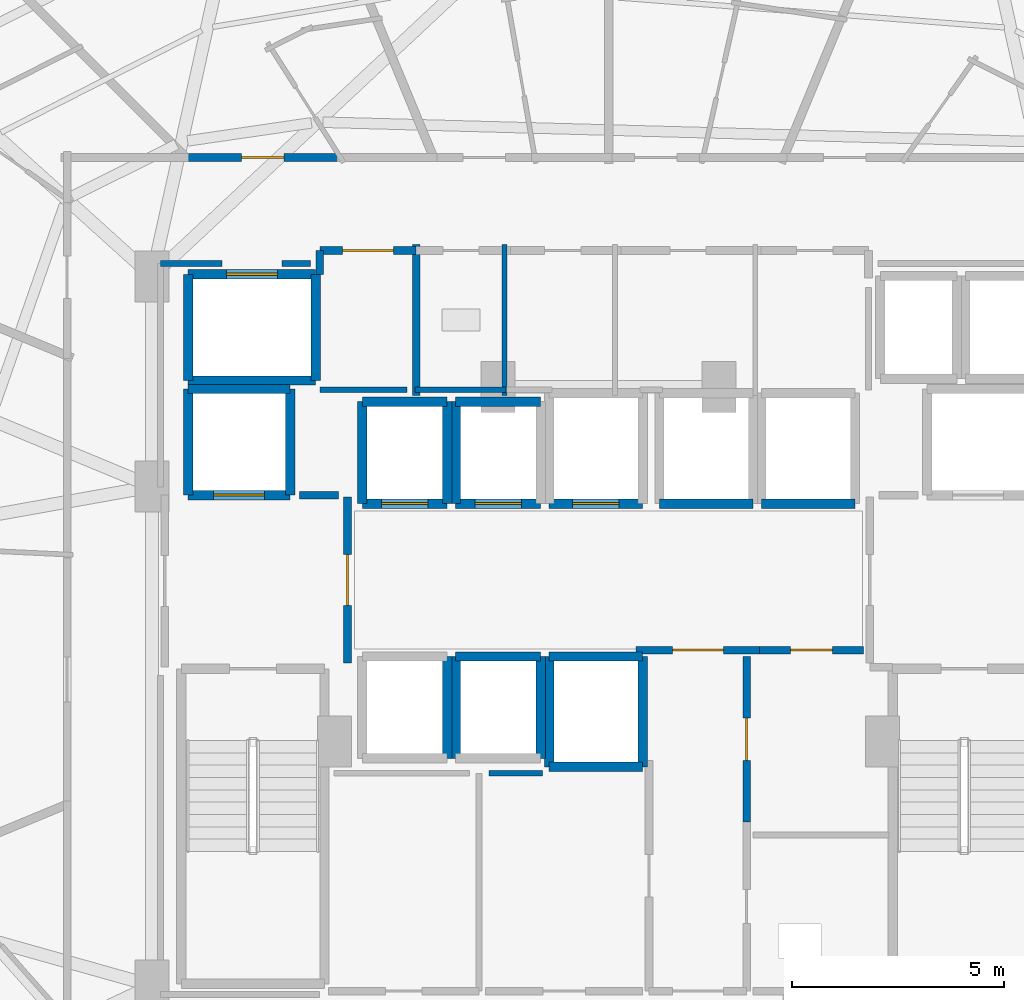
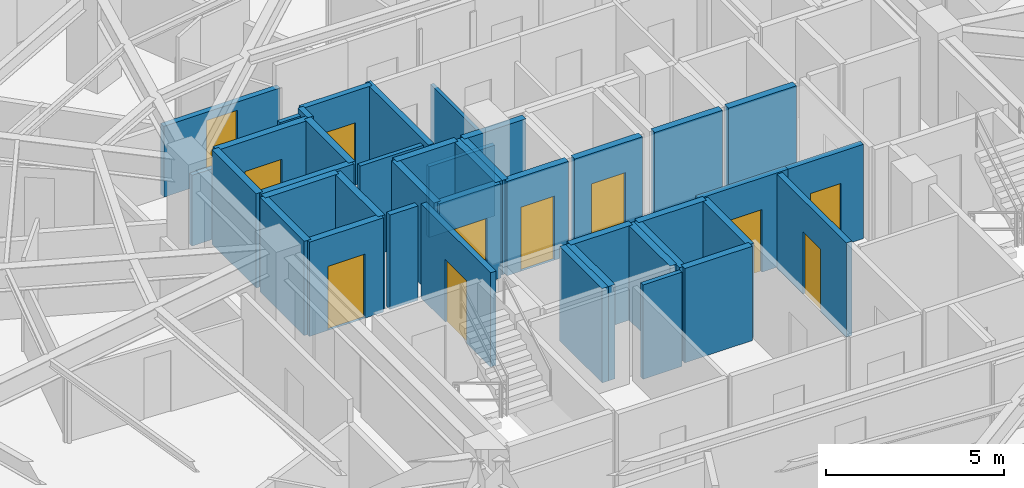
# One storey, part 25 of 31: 41 walls, 11 doors, 11 openings.
"""IFC4 building model written with IfcOpenShell, lengths in metres."""

from ifc_helpers import new_model, si_unit, direction, frame, frame_2d, origin, place, context, subcontext, project, spatial, rectangle, extrude, material, layer, layer_set, type_object, element, fill, save


model = new_model("IFC4")

# Units and contexts
model_context = context("Model", 3, precision=1e-05, world=origin(), true_north=direction((0.0, 1.0)))
body_context = subcontext(model_context, "Body", "Model", "MODEL_VIEW")
ifc_project = project(units=[si_unit("LENGTHUNIT", "METRE"), si_unit("AREAUNIT", "SQUARE_METRE"), si_unit("VOLUMEUNIT", "CUBIC_METRE"), si_unit("PLANEANGLEUNIT", "RADIAN"), si_unit("MASSUNIT", "GRAM", prefix="KILO")], contexts=[model_context])

# Site, building, storey
site_placement = place(None, origin())
site = spatial("IfcSite", under=ifc_project, at=site_placement, CompositionType="ELEMENT")
building_placement = place(site_placement, origin())
building = spatial("IfcBuilding", under=site, at=building_placement, Name="Vorneva Point Tower", CompositionType="ELEMENT")
storey_placement = place(building_placement, frame((0.0, 0.0, 99.800048828125)))
storey = spatial("IfcBuildingStorey", under=building, at=storey_placement, Name="L26", CompositionType="ELEMENT", Elevation=99.800048828125)

# Wall, opening, door
ifc_material_1 = material(Name="Concrete B60 (C50/60)", Category="concrete")
ifc_layer_1 = layer(ifc_material_1, 0.5)
ifc_layer_set_1 = layer_set([ifc_layer_1], Name="Concrete B60 (C50/60)")
wall_type_1 = type_object("IfcWallType", Name="WL-CORE-500", PredefinedType="SHEAR", material=ifc_layer_set_1)
wall_1_placement = place(storey_placement, frame((28.10009765625, 28.0, 0.0), z_axis=(0.0, 0.0, 1.0), x_axis=(1.0, 0.0, 0.0)))
wall_1 = element("IfcWall", 1, at=wall_1_placement, inside=storey, type_object=wall_type_1, Name="L26 Lift FFL1 Shaft Wall -Y", PredefinedType="SHEAR", context=body_context, shape_type="SweptSolid", body=[
    extrude(rectangle(XDim=2.39990234375, YDim=0.219970703125, at=frame_2d((1.199951171875, 0.0))), origin(), (0.0, 0.0, 1.0), 3.239990234375),
])
opening_1_placement = place(wall_1_placement, frame((0.60009765625, 0.0, 0.0)))
opening_1 = element("IfcOpeningElement", 2, at=opening_1_placement, cuts=wall_1, Name="Opening LD-02", PredefinedType="OPENING", context=body_context, shape_type="SweptSolid", body=[
    extrude(rectangle(XDim=1.199951171875, YDim=2.199951171875, at=frame_2d((0.60009765625, 1.10009765625))), frame((0.0, 0.125, 0.0), z_axis=(0.0, -1.0, 0.0), x_axis=(1.0, 0.0, 0.0)), (0.0, 0.0, 1.0), 0.249755859375),
])
ifc_material_2 = material(Name="Brushed stainless steel S304", Category="steel")
door_type_1 = type_object("IfcDoorType", Name="LD-FIRE-1200", OperationType="SLIDING_TO_LEFT", PredefinedType="DOOR", material=ifc_material_2)
door_1_placement = place(opening_1_placement, origin())
door_1 = element("IfcDoor", 3, at=door_1_placement, inside=storey, type_object=door_type_1, Name="L26 Lift FFL1 Sliding Landing Door", OperationType="SLIDING_TO_LEFT", OverallHeight=2.199951171875, OverallWidth=1.199951171875, PredefinedType="DOOR", context=body_context, shape_type="SweptSolid", body=[
    extrude(rectangle(XDim=1.199951171875, YDim=2.199951171875, at=frame_2d((0.60009765625, 1.10009765625))), frame((0.0, 0.02490234375, 0.0), z_axis=(0.0, -1.0, 0.0), x_axis=(1.0, 0.0, 0.0)), (0.0, 0.0, 1.0), 0.050048828125),
])
fill(opening_1, door_1)

# Walls
wall_2_placement = place(storey_placement, frame((30.5, 28.0, 0.0), z_axis=(0.0, 0.0, 1.0), x_axis=(0.0, 1.0, 0.0)))
element("IfcWall", 4, at=wall_2_placement, inside=storey, type_object=wall_type_1, Name="L26 Lift FFL1 Shaft Wall +X", PredefinedType="SHEAR", context=body_context, shape_type="SweptSolid", body=[
    extrude(rectangle(XDim=2.5, YDim=0.219970703125, at=frame_2d((1.25, 0.0))), origin(), (0.0, 0.0, 1.0), 3.239990234375),
])
wall_3_placement = place(storey_placement, frame((30.5, 30.5, 0.0), z_axis=(0.0, 0.0, 1.0), x_axis=(-1.0, 0.0, 0.0)))
element("IfcWall", 5, at=wall_3_placement, inside=storey, type_object=wall_type_1, Name="L26 Lift FFL1 Shaft Wall +Y", PredefinedType="SHEAR", context=body_context, shape_type="SweptSolid", body=[
    extrude(rectangle(XDim=2.39990234375, YDim=0.219970703125, at=frame_2d((1.199951171875, 0.0))), origin(), (0.0, 0.0, 1.0), 3.239990234375),
])
wall_4_placement = place(storey_placement, frame((28.10009765625, 30.5, 0.0), z_axis=(0.0, 0.0, 1.0), x_axis=(0.0, -1.0, 0.0)))
element("IfcWall", 6, at=wall_4_placement, inside=storey, type_object=wall_type_1, Name="L26 Lift FFL1 Shaft Wall -X", PredefinedType="SHEAR", context=body_context, shape_type="SweptSolid", body=[
    extrude(rectangle(XDim=2.5, YDim=0.219970703125, at=frame_2d((1.25, 0.0))), origin(), (0.0, 0.0, 1.0), 3.239990234375),
])
ifc_material_3 = material(Name="Fire-rated acoustic gypsum stud partition", Category="gypsum")
ifc_layer_2 = layer(ifc_material_3, 0.110107421875)
ifc_layer_set_2 = layer_set([ifc_layer_2], Name="Fire-rated acoustic gypsum stud partition")
wall_type_2 = type_object("IfcWallType", Name="WL-PART-110", PredefinedType="PARTITIONING", material=ifc_layer_set_2)
wall_5_placement = place(storey_placement, frame((35.550048828125, 30.340087890625, 0.0), z_axis=(0.0, 0.0, 1.0), x_axis=(0.0, 1.0, 0.0)))
element("IfcWall", 7, at=wall_5_placement, inside=storey, type_object=wall_type_2, Name="L26 Interior Partition 017", PredefinedType="PARTITIONING", context=body_context, shape_type="SweptSolid", body=[
    extrude(rectangle(XDim=3.559814453125, YDim=0.110107421875, at=frame_2d((1.77978515625, 0.0))), origin(), (0.0, 0.0, 1.0), 2.431884765625),
])
ifc_layer_3 = layer(ifc_material_3, 0.139892578125)
ifc_layer_set_3 = layer_set([ifc_layer_3], Name="Fire-rated acoustic gypsum stud partition")
wall_type_3 = type_object("IfcWallType", Name="WL-PART-140", PredefinedType="PARTITIONING", material=ifc_layer_set_3)
wall_6_placement = place(storey_placement, frame((31.199951171875, 30.47998046875, 0.0), z_axis=(0.0, 0.0, 1.0), x_axis=(1.0, 0.0, 0.0)))
element("IfcWall", 8, at=wall_6_placement, inside=storey, type_object=wall_type_3, Name="L26 Interior Closure Partition 097", PredefinedType="PARTITIONING", context=body_context, shape_type="SweptSolid", body=[
    extrude(rectangle(XDim=2.050048828125, YDim=0.139892578125, at=frame_2d((1.02490234375, 0.0))), origin(), (0.0, 0.0, 1.0), 3.239990234375),
])
wall_7_placement = place(storey_placement, frame((33.43994140625, 30.47998046875, 0.0), z_axis=(0.0, 0.0, 1.0), x_axis=(1.0, 0.0, 0.0)))
element("IfcWall", 9, at=wall_7_placement, inside=storey, type_object=wall_type_3, Name="L26 Interior Closure Partition 098", PredefinedType="PARTITIONING", context=body_context, shape_type="SweptSolid", body=[
    extrude(rectangle(XDim=2.14013671875, YDim=0.139892578125, at=frame_2d((1.070068359375, 0.0))), origin(), (0.0, 0.0, 1.0), 2.431884765625),
])
wall_8_placement = place(storey_placement, frame((36.43896484375, 21.449951171875, 0.0), z_axis=(0.0, 0.0, 1.0), x_axis=(-1.0, 0.0, 0.0)))
element("IfcWall", 10, at=wall_8_placement, inside=storey, type_object=wall_type_3, Name="L26 Interior Closure Partition 103", PredefinedType="PARTITIONING", context=body_context, shape_type="SweptSolid", body=[
    extrude(rectangle(XDim=1.259033203125, YDim=0.139892578125, at=frame_2d((0.62939453125, 0.0))), origin(), (0.0, 0.0, 1.0), 3.239990234375),
])
wall_9_placement = place(storey_placement, frame((27.449951171875, 33.449951171875, 0.0), z_axis=(0.0, 0.0, 1.0), x_axis=(1.0, 0.0, 0.0)))
element("IfcWall", 11, at=wall_9_placement, inside=storey, type_object=wall_type_3, Name="L26 Interior Closure Partition 111", PredefinedType="PARTITIONING", context=body_context, shape_type="SweptSolid", body=[
    extrude(rectangle(XDim=1.444091796875, YDim=0.139892578125, at=frame_2d((0.72216796875, 0.0))), origin(), (0.0, 0.0, 1.0), 2.431884765625),
])
wall_10_placement = place(storey_placement, frame((30.305908203125, 33.449951171875, 0.0), z_axis=(0.0, 0.0, 1.0), x_axis=(1.0, 0.0, 0.0)))
element("IfcWall", 12, at=wall_10_placement, inside=storey, type_object=wall_type_3, Name="L26 Interior Closure Partition 112", PredefinedType="PARTITIONING", context=body_context, shape_type="SweptSolid", body=[
    extrude(rectangle(XDim=0.674072265625, YDim=0.139892578125, at=frame_2d((0.3369140625, 0.0))), origin(), (0.0, 0.0, 1.0), 3.239990234375),
])

# Wall, opening, door
ifc_material_4 = material(Name="Autoclaved aerated concrete blockwork", Category="masonry")
ifc_layer_4 = layer(ifc_material_4, 0.179931640625)
ifc_layer_set_4 = layer_set([ifc_layer_4], Name="Autoclaved aerated concrete blockwork")
wall_type_4 = type_object("IfcWallType", Name="WL-PART-180", PredefinedType="PARTITIONING", material=ifc_layer_set_4)
wall_11_placement = place(storey_placement, frame((31.85009765625, 24.044921875, 0.0), z_axis=(0.0, 0.0, 1.0), x_axis=(0.0, 1.0, 0.0)))
wall_11 = element("IfcWall", 13, at=wall_11_placement, inside=storey, type_object=wall_type_4, Name="L26 Interior Partition 001", PredefinedType="PARTITIONING", context=body_context, shape_type="SweptSolid", body=[
    extrude(rectangle(XDim=3.91015625, YDim=0.179931640625, at=frame_2d((1.955078125, 0.0))), origin(), (0.0, 0.0, 1.0), 3.239990234375),
])
opening_2_placement = place(wall_11_placement, frame((1.35498046875, 0.0, 0.0)))
opening_2 = element("IfcOpeningElement", 14, at=opening_2_placement, cuts=wall_11, Name="Opening FD-02", PredefinedType="OPENING", context=body_context, shape_type="SweptSolid", body=[
    extrude(rectangle(XDim=1.199951171875, YDim=2.14990234375, at=frame_2d((0.60009765625, 1.074951171875))), frame((0.0, 0.10498046875, 0.0), z_axis=(0.0, -1.0, 0.0), x_axis=(1.0, 0.0, 0.0)), (0.0, 0.0, 1.0), 0.209716796875),
])
ifc_material_5 = material(Name="Fire-rated powder-coated steel", Category="steel")
door_type_2 = type_object("IfcDoorType", Name="DR-FFL-1200", OperationType="NOTDEFINED", PredefinedType="DOOR", material=ifc_material_5)
door_2_placement = place(opening_2_placement, origin())
door_2 = element("IfcDoor", 15, at=door_2_placement, inside=storey, type_object=door_type_2, Name="L26 Door West Firefighting Lobby / Central Lift Lobby", OperationType="SINGLE_SWING_LEFT", OverallHeight=2.14990234375, OverallWidth=1.199951171875, PredefinedType="DOOR", context=body_context, shape_type="SweptSolid", body=[
    extrude(rectangle(XDim=1.199951171875, YDim=2.14990234375, at=frame_2d((0.60009765625, 1.074951171875))), frame((0.0, 0.02490234375, 0.0), z_axis=(0.0, -1.0, 0.0), x_axis=(1.0, 0.0, 0.0)), (0.0, 0.0, 1.0), 0.050048828125),
])
fill(opening_2, door_2)

# Wall
wall_12_placement = place(storey_placement, frame((33.469970703125, 30.340087890625, 0.0), z_axis=(0.0, 0.0, 1.0), x_axis=(0.0, 1.0, 0.0)))
element("IfcWall", 16, at=wall_12_placement, inside=storey, type_object=wall_type_4, Name="L26 Interior Partition 006", PredefinedType="PARTITIONING", context=body_context, shape_type="SweptSolid", body=[
    extrude(rectangle(XDim=3.559814453125, YDim=0.179931640625, at=frame_2d((1.77978515625, 0.0))), origin(), (0.0, 0.0, 1.0), 3.239990234375),
])

# Wall, opening, door
wall_13_placement = place(storey_placement, frame((33.469970703125, 33.760009765625, 0.0), z_axis=(0.0, 0.0, 1.0), x_axis=(-1.0, 0.0, 0.0)))
wall_13 = element("IfcWall", 17, at=wall_13_placement, inside=storey, type_object=wall_type_4, Name="L26 Interior Partition 007", PredefinedType="PARTITIONING", context=body_context, shape_type="SweptSolid", body=[
    extrude(rectangle(XDim=2.27001953125, YDim=0.179931640625, at=frame_2d((1.135009765625, 0.0))), origin(), (0.0, 0.0, 1.0), 3.239990234375),
])
opening_3_placement = place(wall_13_placement, frame((0.534912109375, 0.0, 0.0)))
opening_3 = element("IfcOpeningElement", 18, at=opening_3_placement, cuts=wall_13, Name="Opening FD-02", PredefinedType="OPENING", context=body_context, shape_type="SweptSolid", body=[
    extrude(rectangle(XDim=1.199951171875, YDim=2.14990234375, at=frame_2d((0.60009765625, 1.074951171875))), frame((0.0, 0.10498046875, 0.0), z_axis=(0.0, -1.0, 0.0), x_axis=(1.0, 0.0, 0.0)), (0.0, 0.0, 1.0), 0.209716796875),
])
door_3_placement = place(opening_3_placement, origin())
door_3 = element("IfcDoor", 19, at=door_3_placement, inside=storey, type_object=door_type_2, Name="L26 Door Service Lift Lobby / L26 Circulation Corridor", OperationType="SINGLE_SWING_LEFT", OverallHeight=2.14990234375, OverallWidth=1.199951171875, PredefinedType="DOOR", context=body_context, shape_type="SweptSolid", body=[
    extrude(rectangle(XDim=1.199951171875, YDim=2.14990234375, at=frame_2d((0.60009765625, 1.074951171875))), frame((0.0, 0.02490234375, 0.0), z_axis=(0.0, -1.0, 0.0), x_axis=(1.0, 0.0, 0.0)), (0.0, 0.0, 1.0), 0.050048828125),
])
fill(opening_3, door_3)

# Wall
wall_14_placement = place(storey_placement, frame((31.199951171875, 33.760009765625, 0.0), z_axis=(0.0, 0.0, 1.0), x_axis=(0.0, -1.0, 0.0)))
element("IfcWall", 20, at=wall_14_placement, inside=storey, type_object=wall_type_4, Name="L26 Interior Partition 008", PredefinedType="PARTITIONING", context=body_context, shape_type="SweptSolid", body=[
    extrude(rectangle(XDim=0.56005859375, YDim=0.179931640625, at=frame_2d((0.280029296875, 0.0))), origin(), (0.0, 0.0, 1.0), 3.239990234375),
])

# Wall, opening, door
wall_15_placement = place(storey_placement, frame((38.64501953125, 24.35009765625, 0.0), z_axis=(0.0, 0.0, 1.0), x_axis=(1.0, 0.0, 0.0)))
wall_15 = element("IfcWall", 21, at=wall_15_placement, inside=storey, type_object=wall_type_4, Name="L26 Interior Partition 009", PredefinedType="PARTITIONING", context=body_context, shape_type="SweptSolid", body=[
    extrude(rectangle(XDim=2.909912109375, YDim=0.179931640625, at=frame_2d((1.455078125, 0.0))), origin(), (0.0, 0.0, 1.0), 3.239990234375),
])
opening_4_placement = place(wall_15_placement, frame((0.85498046875, 0.0, 0.0)))
opening_4 = element("IfcOpeningElement", 22, at=opening_4_placement, cuts=wall_15, Name="Opening FD-02", PredefinedType="OPENING", context=body_context, shape_type="SweptSolid", body=[
    extrude(rectangle(XDim=1.199951171875, YDim=2.14990234375, at=frame_2d((0.60009765625, 1.074951171875))), frame((0.0, 0.10498046875, 0.0), z_axis=(0.0, -1.0, 0.0), x_axis=(1.0, 0.0, 0.0)), (0.0, 0.0, 1.0), 0.209716796875),
])
door_4_placement = place(opening_4_placement, origin())
door_4 = element("IfcDoor", 23, at=door_4_placement, inside=storey, type_object=door_type_2, Name="L26 Door Central Lift Lobby / Core Service Lobby", OperationType="SINGLE_SWING_RIGHT", OverallHeight=2.14990234375, OverallWidth=1.199951171875, PredefinedType="DOOR", context=body_context, shape_type="SweptSolid", body=[
    extrude(rectangle(XDim=1.199951171875, YDim=2.14990234375, at=frame_2d((0.60009765625, 1.074951171875))), frame((0.0, 0.02490234375, 0.0), z_axis=(0.0, -1.0, 0.0), x_axis=(1.0, 0.0, 0.0)), (0.0, 0.0, 1.0), 0.050048828125),
])
fill(opening_4, door_4)

wall_16_placement = place(storey_placement, frame((41.554931640625, 24.35009765625, 0.0), z_axis=(0.0, 0.0, 1.0), x_axis=(1.0, 0.0, 0.0)))
wall_16 = element("IfcWall", 24, at=wall_16_placement, inside=storey, type_object=wall_type_4, Name="L26 Interior Partition 010", PredefinedType="PARTITIONING", context=body_context, shape_type="SweptSolid", body=[
    extrude(rectangle(XDim=2.445068359375, YDim=0.179931640625, at=frame_2d((1.22265625, 0.0))), origin(), (0.0, 0.0, 1.0), 3.239990234375),
])
opening_5_placement = place(wall_16_placement, frame((0.722412109375, 0.0, 0.0)))
opening_5 = element("IfcOpeningElement", 25, at=opening_5_placement, cuts=wall_16, Name="Opening UD-01", PredefinedType="OPENING", context=body_context, shape_type="SweptSolid", body=[
    extrude(rectangle(XDim=1.0, YDim=2.14990234375, at=frame_2d((0.5, 1.074951171875))), frame((0.0, 0.10498046875, 0.0), z_axis=(0.0, -1.0, 0.0), x_axis=(1.0, 0.0, 0.0)), (0.0, 0.0, 1.0), 0.209716796875),
])
ifc_material_6 = material(Name="Engineered oak fire-rated door leaf", Category="wood")
door_type_3 = type_object("IfcDoorType", Name="DR-UNIT-1000", OperationType="NOTDEFINED", PredefinedType="DOOR", material=ifc_material_6)
door_5_placement = place(opening_5_placement, origin())
door_5 = element("IfcDoor", 26, at=door_5_placement, inside=storey, type_object=door_type_3, Name="L26 Door Central Lift Lobby / Floor Management Office", OperationType="SINGLE_SWING_LEFT", OverallHeight=2.14990234375, OverallWidth=1.0, PredefinedType="DOOR", context=body_context, shape_type="SweptSolid", body=[
    extrude(rectangle(XDim=1.0, YDim=2.14990234375, at=frame_2d((0.5, 1.074951171875))), frame((0.0, 0.02490234375, 0.0), z_axis=(0.0, -1.0, 0.0), x_axis=(1.0, 0.0, 0.0)), (0.0, 0.0, 1.0), 0.050048828125),
])
fill(opening_5, door_5)

wall_17_placement = place(storey_placement, frame((41.25, 20.304931640625, 0.0), z_axis=(0.0, 0.0, 1.0), x_axis=(0.0, 1.0, 0.0)))
wall_17 = element("IfcWall", 27, at=wall_17_placement, inside=storey, type_object=wall_type_4, Name="L26 Interior Partition 012", PredefinedType="PARTITIONING", context=body_context, shape_type="SweptSolid", body=[
    extrude(rectangle(XDim=3.89501953125, YDim=0.179931640625, at=frame_2d((1.947509765625, 0.0))), origin(), (0.0, 0.0, 1.0), 3.239990234375),
])
opening_6_placement = place(wall_17_placement, frame((1.447509765625, 0.0, 0.0)))
opening_6 = element("IfcOpeningElement", 28, at=opening_6_placement, cuts=wall_17, Name="Opening UD-01", PredefinedType="OPENING", context=body_context, shape_type="SweptSolid", body=[
    extrude(rectangle(XDim=1.0, YDim=2.14990234375, at=frame_2d((0.5, 1.074951171875))), frame((0.0, 0.10498046875, 0.0), z_axis=(0.0, -1.0, 0.0), x_axis=(1.0, 0.0, 0.0)), (0.0, 0.0, 1.0), 0.209716796875),
])
door_6_placement = place(opening_6_placement, origin())
door_6 = element("IfcDoor", 29, at=door_6_placement, inside=storey, type_object=door_type_3, Name="L26 Door Core Service Lobby / Floor Management Office", OperationType="SINGLE_SWING_LEFT", OverallHeight=2.14990234375, OverallWidth=1.0, PredefinedType="DOOR", context=body_context, shape_type="SweptSolid", body=[
    extrude(rectangle(XDim=1.0, YDim=2.14990234375, at=frame_2d((0.5, 1.074951171875))), frame((0.0, 0.02490234375, 0.0), z_axis=(0.0, -1.0, 0.0), x_axis=(1.0, 0.0, 0.0)), (0.0, 0.0, 1.0), 0.050048828125),
])
fill(opening_6, door_6)

wall_18_placement = place(storey_placement, frame((31.74609375, 35.949951171875, 0.0), z_axis=(0.0, 0.0, 1.0), x_axis=(-1.0, 0.0, 0.0)))
wall_18 = element("IfcWall", 30, at=wall_18_placement, inside=storey, type_object=wall_type_4, Name="L26 Interior Partition 037", PredefinedType="PARTITIONING", context=body_context, shape_type="SweptSolid", body=[
    extrude(rectangle(XDim=3.781005859375, YDim=0.179931640625, at=frame_2d((1.890625, 0.0))), origin(), (0.0, 0.0, 1.0), 2.431884765625),
])
opening_7_placement = place(wall_18_placement, frame((1.390380859375, 0.0, 0.0)))
opening_7 = element("IfcOpeningElement", 31, at=opening_7_placement, cuts=wall_18, Name="Opening UD-01", PredefinedType="OPENING", context=body_context, shape_type="SweptSolid", body=[
    extrude(rectangle(XDim=1.0, YDim=2.14990234375, at=frame_2d((0.5, 1.074951171875))), frame((0.0, 0.10498046875, 0.0), z_axis=(0.0, -1.0, 0.0), x_axis=(1.0, 0.0, 0.0)), (0.0, 0.0, 1.0), 0.209716796875),
])
door_7_placement = place(opening_7_placement, origin())
door_7 = element("IfcDoor", 32, at=door_7_placement, inside=storey, type_object=door_type_3, Name="L26 Door L26 Circulation Corridor / Twin Guest Room L26-05", OperationType="SINGLE_SWING_LEFT", OverallHeight=2.14990234375, OverallWidth=1.0, PredefinedType="DOOR", context=body_context, shape_type="SweptSolid", body=[
    extrude(rectangle(XDim=1.0, YDim=2.14990234375, at=frame_2d((0.5, 1.074951171875))), frame((0.0, 0.02490234375, 0.0), z_axis=(0.0, -1.0, 0.0), x_axis=(1.0, 0.0, 0.0)), (0.0, 0.0, 1.0), 0.050048828125),
])
fill(opening_7, door_7)

# Wall
wall_19_placement = place(storey_placement, frame((31.635009765625, 28.0, 0.0), z_axis=(0.0, 0.0, 1.0), x_axis=(-1.0, 0.0, 0.0)))
element("IfcWall", 33, at=wall_19_placement, inside=storey, type_object=wall_type_4, Name="L26 Interior Closure Partition 095", PredefinedType="PARTITIONING", context=body_context, shape_type="SweptSolid", body=[
    extrude(rectangle(XDim=0.9150390625, YDim=0.179931640625, at=frame_2d((0.45751953125, 0.0))), origin(), (0.0, 0.0, 1.0), 3.239990234375),
])

# Wall, opening, door
ifc_material_7 = material(Name="Concrete B50 (C40/50)", Category="concrete")
ifc_layer_5 = layer(ifc_material_7, 0.219970703125)
ifc_layer_set_5 = layer_set([ifc_layer_5], Name="Concrete B50 (C40/50)")
wall_type_5 = type_object("IfcWallType", Name="WL-SHFT-220", PredefinedType="SOLIDWALL", material=ifc_layer_set_5)
wall_20_placement = place(storey_placement, frame((32.199951171875, 27.800048828125, 0.0), z_axis=(0.0, 0.0, 1.0), x_axis=(1.0, 0.0, 0.0)))
wall_20 = element("IfcWall", 34, at=wall_20_placement, inside=storey, type_object=wall_type_5, Name="L26 Lift PL1 Shaft Wall -Y", PredefinedType="SOLIDWALL", context=body_context, shape_type="SweptSolid", body=[
    extrude(rectangle(XDim=2.0, YDim=0.219970703125, at=frame_2d((1.0, 0.0))), origin(), (0.0, 0.0, 1.0), 3.239990234375),
])
opening_8_placement = place(wall_20_placement, frame((0.449951171875, 0.0, 0.0)))
opening_8 = element("IfcOpeningElement", 35, at=opening_8_placement, cuts=wall_20, Name="Opening LD-01", PredefinedType="OPENING", context=body_context, shape_type="SweptSolid", body=[
    extrude(rectangle(XDim=1.10009765625, YDim=2.199951171875, at=frame_2d((0.550048828125, 1.10009765625))), frame((0.0, 0.125, 0.0), z_axis=(0.0, -1.0, 0.0), x_axis=(1.0, 0.0, 0.0)), (0.0, 0.0, 1.0), 0.249755859375),
])
door_type_4 = type_object("IfcDoorType", Name="LD-PASS-1100", OperationType="SLIDING_TO_LEFT", PredefinedType="DOOR", material=ifc_material_2)
door_8_placement = place(opening_8_placement, origin())
door_8 = element("IfcDoor", 36, at=door_8_placement, inside=storey, type_object=door_type_4, Name="L26 Lift PL1 Sliding Landing Door", OperationType="SLIDING_TO_LEFT", OverallHeight=2.199951171875, OverallWidth=1.10009765625, PredefinedType="DOOR", context=body_context, shape_type="SweptSolid", body=[
    extrude(rectangle(XDim=1.10009765625, YDim=2.199951171875, at=frame_2d((0.550048828125, 1.10009765625))), frame((0.0, 0.02490234375, 0.0), z_axis=(0.0, -1.0, 0.0), x_axis=(1.0, 0.0, 0.0)), (0.0, 0.0, 1.0), 0.050048828125),
])
fill(opening_8, door_8)

# Walls
wall_21_placement = place(storey_placement, frame((34.199951171875, 27.800048828125, 0.0), z_axis=(0.0, 0.0, 1.0), x_axis=(0.0, 1.0, 0.0)))
element("IfcWall", 37, at=wall_21_placement, inside=storey, type_object=wall_type_5, Name="L26 Lift PL1 Shaft Wall +X", PredefinedType="SOLIDWALL", context=body_context, shape_type="SweptSolid", body=[
    extrude(rectangle(XDim=2.39990234375, YDim=0.219970703125, at=frame_2d((1.199951171875, 0.0))), origin(), (0.0, 0.0, 1.0), 3.239990234375),
])
wall_22_placement = place(storey_placement, frame((34.199951171875, 30.199951171875, 0.0), z_axis=(0.0, 0.0, 1.0), x_axis=(-1.0, 0.0, 0.0)))
element("IfcWall", 38, at=wall_22_placement, inside=storey, type_object=wall_type_5, Name="L26 Lift PL1 Shaft Wall +Y", PredefinedType="SOLIDWALL", context=body_context, shape_type="SweptSolid", body=[
    extrude(rectangle(XDim=2.0, YDim=0.219970703125, at=frame_2d((1.0, 0.0))), origin(), (0.0, 0.0, 1.0), 3.239990234375),
])
wall_23_placement = place(storey_placement, frame((32.199951171875, 30.199951171875, 0.0), z_axis=(0.0, 0.0, 1.0), x_axis=(0.0, -1.0, 0.0)))
element("IfcWall", 39, at=wall_23_placement, inside=storey, type_object=wall_type_5, Name="L26 Lift PL1 Shaft Wall -X", PredefinedType="SOLIDWALL", context=body_context, shape_type="SweptSolid", body=[
    extrude(rectangle(XDim=2.39990234375, YDim=0.219970703125, at=frame_2d((1.199951171875, 0.0))), origin(), (0.0, 0.0, 1.0), 3.239990234375),
])

# Wall, opening, door
wall_24_placement = place(storey_placement, frame((34.39990234375, 27.800048828125, 0.0), z_axis=(0.0, 0.0, 1.0), x_axis=(1.0, 0.0, 0.0)))
wall_24 = element("IfcWall", 40, at=wall_24_placement, inside=storey, type_object=wall_type_5, Name="L26 Lift PL2 Shaft Wall -Y", PredefinedType="SOLIDWALL", context=body_context, shape_type="SweptSolid", body=[
    extrude(rectangle(XDim=2.0, YDim=0.219970703125, at=frame_2d((1.0, 0.0))), origin(), (0.0, 0.0, 1.0), 3.239990234375),
])
opening_9_placement = place(wall_24_placement, frame((0.449951171875, 0.0, 0.0)))
opening_9 = element("IfcOpeningElement", 41, at=opening_9_placement, cuts=wall_24, Name="Opening LD-01", PredefinedType="OPENING", context=body_context, shape_type="SweptSolid", body=[
    extrude(rectangle(XDim=1.10009765625, YDim=2.199951171875, at=frame_2d((0.550048828125, 1.10009765625))), frame((0.0, 0.125, 0.0), z_axis=(0.0, -1.0, 0.0), x_axis=(1.0, 0.0, 0.0)), (0.0, 0.0, 1.0), 0.249755859375),
])
door_9_placement = place(opening_9_placement, origin())
door_9 = element("IfcDoor", 42, at=door_9_placement, inside=storey, type_object=door_type_4, Name="L26 Lift PL2 Sliding Landing Door", OperationType="SLIDING_TO_LEFT", OverallHeight=2.199951171875, OverallWidth=1.10009765625, PredefinedType="DOOR", context=body_context, shape_type="SweptSolid", body=[
    extrude(rectangle(XDim=1.10009765625, YDim=2.199951171875, at=frame_2d((0.550048828125, 1.10009765625))), frame((0.0, 0.02490234375, 0.0), z_axis=(0.0, -1.0, 0.0), x_axis=(1.0, 0.0, 0.0)), (0.0, 0.0, 1.0), 0.050048828125),
])
fill(opening_9, door_9)

# Walls
wall_25_placement = place(storey_placement, frame((36.39990234375, 30.199951171875, 0.0), z_axis=(0.0, 0.0, 1.0), x_axis=(-1.0, 0.0, 0.0)))
element("IfcWall", 43, at=wall_25_placement, inside=storey, type_object=wall_type_5, Name="L26 Lift PL2 Shaft Wall +Y", PredefinedType="SOLIDWALL", context=body_context, shape_type="SweptSolid", body=[
    extrude(rectangle(XDim=2.0, YDim=0.219970703125, at=frame_2d((1.0, 0.0))), origin(), (0.0, 0.0, 1.0), 3.239990234375),
])
wall_26_placement = place(storey_placement, frame((34.39990234375, 30.199951171875, 0.0), z_axis=(0.0, 0.0, 1.0), x_axis=(0.0, -1.0, 0.0)))
element("IfcWall", 44, at=wall_26_placement, inside=storey, type_object=wall_type_5, Name="L26 Lift PL2 Shaft Wall -X", PredefinedType="SOLIDWALL", context=body_context, shape_type="SweptSolid", body=[
    extrude(rectangle(XDim=2.39990234375, YDim=0.219970703125, at=frame_2d((1.199951171875, 0.0))), origin(), (0.0, 0.0, 1.0), 3.239990234375),
])

# Wall, opening, door
wall_27_placement = place(storey_placement, frame((36.60009765625, 27.800048828125, 0.0), z_axis=(0.0, 0.0, 1.0), x_axis=(1.0, 0.0, 0.0)))
wall_27 = element("IfcWall", 45, at=wall_27_placement, inside=storey, type_object=wall_type_5, Name="L26 Lift PL3 Shaft Wall -Y", PredefinedType="SOLIDWALL", context=body_context, shape_type="SweptSolid", body=[
    extrude(rectangle(XDim=2.199951171875, YDim=0.219970703125, at=frame_2d((1.10009765625, 0.0))), origin(), (0.0, 0.0, 1.0), 3.239990234375),
])
opening_10_placement = place(wall_27_placement, frame((0.550048828125, 0.0, 0.0)))
opening_10 = element("IfcOpeningElement", 46, at=opening_10_placement, cuts=wall_27, Name="Opening LD-01", PredefinedType="OPENING", context=body_context, shape_type="SweptSolid", body=[
    extrude(rectangle(XDim=1.10009765625, YDim=2.199951171875, at=frame_2d((0.550048828125, 1.10009765625))), frame((0.0, 0.125, 0.0), z_axis=(0.0, -1.0, 0.0), x_axis=(1.0, 0.0, 0.0)), (0.0, 0.0, 1.0), 0.249755859375),
])
door_10_placement = place(opening_10_placement, origin())
door_10 = element("IfcDoor", 47, at=door_10_placement, inside=storey, type_object=door_type_4, Name="L26 Lift PL3 Sliding Landing Door", OperationType="SLIDING_TO_LEFT", OverallHeight=2.199951171875, OverallWidth=1.10009765625, PredefinedType="DOOR", context=body_context, shape_type="SweptSolid", body=[
    extrude(rectangle(XDim=1.10009765625, YDim=2.199951171875, at=frame_2d((0.550048828125, 1.10009765625))), frame((0.0, 0.02490234375, 0.0), z_axis=(0.0, -1.0, 0.0), x_axis=(1.0, 0.0, 0.0)), (0.0, 0.0, 1.0), 0.050048828125),
])
fill(opening_10, door_10)

# Walls
for number, where, z_axis, x_axis, name in (
    (48, (34.199951171875, 21.800048828125, 0.0), (0.0, 0.0, 1.0), (0.0, 1.0, 0.0), "L26 Lift PL4 Shaft Wall +X"),
    (49, (36.39990234375, 21.800048828125, 0.0), (0.0, 0.0, 1.0), (0.0, 1.0, 0.0), "L26 Lift PL5 Shaft Wall +X"),
):
    element("IfcWall", number, at=place(storey_placement, frame(where, z_axis=z_axis, x_axis=x_axis)), inside=storey, type_object=wall_type_5, Name=name, PredefinedType="SOLIDWALL", context=body_context, shape_type="SweptSolid", body=[
        extrude(rectangle(XDim=2.39990234375, YDim=0.219970703125, at=frame_2d((1.199951171875, 0.0))), origin(), (0.0, 0.0, 1.0), 3.239990234375),
    ])
wall_28_placement = place(storey_placement, frame((36.39990234375, 24.199951171875, 0.0), z_axis=(0.0, 0.0, 1.0), x_axis=(-1.0, 0.0, 0.0)))
element("IfcWall", 50, at=wall_28_placement, inside=storey, type_object=wall_type_5, Name="L26 Lift PL5 Shaft Wall +Y", PredefinedType="SOLIDWALL", context=body_context, shape_type="SweptSolid", body=[
    extrude(rectangle(XDim=2.0, YDim=0.219970703125, at=frame_2d((1.0, 0.0))), origin(), (0.0, 0.0, 1.0), 3.239990234375),
])
wall_29_placement = place(storey_placement, frame((34.39990234375, 24.199951171875, 0.0), z_axis=(0.0, 0.0, 1.0), x_axis=(0.0, -1.0, 0.0)))
element("IfcWall", 51, at=wall_29_placement, inside=storey, type_object=wall_type_5, Name="L26 Lift PL5 Shaft Wall -X", PredefinedType="SOLIDWALL", context=body_context, shape_type="SweptSolid", body=[
    extrude(rectangle(XDim=2.39990234375, YDim=0.219970703125, at=frame_2d((1.199951171875, 0.0))), origin(), (0.0, 0.0, 1.0), 3.239990234375),
])
wall_30_placement = place(storey_placement, frame((36.60009765625, 21.60009765625, 0.0), z_axis=(0.0, 0.0, 1.0), x_axis=(1.0, 0.0, 0.0)))
element("IfcWall", 52, at=wall_30_placement, inside=storey, type_object=wall_type_5, Name="L26 Lift PL6 Shaft Wall -Y", PredefinedType="SOLIDWALL", context=body_context, shape_type="SweptSolid", body=[
    extrude(rectangle(XDim=2.199951171875, YDim=0.219970703125, at=frame_2d((1.10009765625, 0.0))), origin(), (0.0, 0.0, 1.0), 3.239990234375),
])
wall_31_placement = place(storey_placement, frame((38.800048828125, 21.60009765625, 0.0), z_axis=(0.0, 0.0, 1.0), x_axis=(0.0, 1.0, 0.0)))
element("IfcWall", 53, at=wall_31_placement, inside=storey, type_object=wall_type_5, Name="L26 Lift PL6 Shaft Wall +X", PredefinedType="SOLIDWALL", context=body_context, shape_type="SweptSolid", body=[
    extrude(rectangle(XDim=2.599853515625, YDim=0.219970703125, at=frame_2d((1.2998046875, 0.0))), origin(), (0.0, 0.0, 1.0), 3.239990234375),
])
wall_32_placement = place(storey_placement, frame((38.800048828125, 24.199951171875, 0.0), z_axis=(0.0, 0.0, 1.0), x_axis=(-1.0, 0.0, 0.0)))
element("IfcWall", 54, at=wall_32_placement, inside=storey, type_object=wall_type_5, Name="L26 Lift PL6 Shaft Wall +Y", PredefinedType="SOLIDWALL", context=body_context, shape_type="SweptSolid", body=[
    extrude(rectangle(XDim=2.199951171875, YDim=0.219970703125, at=frame_2d((1.10009765625, 0.0))), origin(), (0.0, 0.0, 1.0), 3.239990234375),
])
wall_33_placement = place(storey_placement, frame((36.60009765625, 24.199951171875, 0.0), z_axis=(0.0, 0.0, 1.0), x_axis=(0.0, -1.0, 0.0)))
element("IfcWall", 55, at=wall_33_placement, inside=storey, type_object=wall_type_5, Name="L26 Lift PL6 Shaft Wall -X", PredefinedType="SOLIDWALL", context=body_context, shape_type="SweptSolid", body=[
    extrude(rectangle(XDim=2.599853515625, YDim=0.219970703125, at=frame_2d((1.2998046875, 0.0))), origin(), (0.0, 0.0, 1.0), 3.239990234375),
])
for number, where, z_axis, x_axis, name in (
    (56, (39.199951171875, 27.800048828125, 0.0), (0.0, 0.0, 1.0), (1.0, 0.0, 0.0), "L26 Lift PL7 Shaft Wall -Y"),
    (57, (41.60009765625, 27.800048828125, 0.0), (0.0, 0.0, 1.0), (1.0, 0.0, 0.0), "L26 Lift PL8 Shaft Wall -Y"),
):
    element("IfcWall", number, at=place(storey_placement, frame(where, z_axis=z_axis, x_axis=x_axis)), inside=storey, type_object=wall_type_5, Name=name, PredefinedType="SOLIDWALL", context=body_context, shape_type="SweptSolid", body=[
        extrude(rectangle(XDim=2.199951171875, YDim=0.219970703125, at=frame_2d((1.10009765625, 0.0))), origin(), (0.0, 0.0, 1.0), 3.239990234375),
    ])
wall_34_placement = place(storey_placement, frame((28.10009765625, 30.699951171875, 0.0), z_axis=(0.0, 0.0, 1.0), x_axis=(1.0, 0.0, 0.0)))
element("IfcWall", 58, at=wall_34_placement, inside=storey, type_object=wall_type_5, Name="L26 Lift SVL1 Shaft Wall -Y", PredefinedType="SOLIDWALL", context=body_context, shape_type="SweptSolid", body=[
    extrude(rectangle(XDim=3.0, YDim=0.219970703125, at=frame_2d((1.5, 0.0))), origin(), (0.0, 0.0, 1.0), 3.239990234375),
])
wall_35_placement = place(storey_placement, frame((31.10009765625, 30.699951171875, 0.0), z_axis=(0.0, 0.0, 1.0), x_axis=(0.0, 1.0, 0.0)))
element("IfcWall", 59, at=wall_35_placement, inside=storey, type_object=wall_type_5, Name="L26 Lift SVL1 Shaft Wall +X", PredefinedType="SOLIDWALL", context=body_context, shape_type="SweptSolid", body=[
    extrude(rectangle(XDim=2.5, YDim=0.219970703125, at=frame_2d((1.25, 0.0))), origin(), (0.0, 0.0, 1.0), 3.239990234375),
])

# Wall, opening, door
wall_36_placement = place(storey_placement, frame((31.10009765625, 33.199951171875, 0.0), z_axis=(0.0, 0.0, 1.0), x_axis=(-1.0, 0.0, 0.0)))
wall_36 = element("IfcWall", 60, at=wall_36_placement, inside=storey, type_object=wall_type_5, Name="L26 Lift SVL1 Shaft Wall +Y", PredefinedType="SOLIDWALL", context=body_context, shape_type="SweptSolid", body=[
    extrude(rectangle(XDim=3.0, YDim=0.219970703125, at=frame_2d((1.5, 0.0))), origin(), (0.0, 0.0, 1.0), 3.239990234375),
])
opening_11_placement = place(wall_36_placement, frame((0.89990234375, 0.0, 0.0)))
opening_11 = element("IfcOpeningElement", 61, at=opening_11_placement, cuts=wall_36, Name="Opening LD-02", PredefinedType="OPENING", context=body_context, shape_type="SweptSolid", body=[
    extrude(rectangle(XDim=1.199951171875, YDim=2.199951171875, at=frame_2d((0.60009765625, 1.10009765625))), frame((0.0, 0.125, 0.0), z_axis=(0.0, -1.0, 0.0), x_axis=(1.0, 0.0, 0.0)), (0.0, 0.0, 1.0), 0.249755859375),
])
door_11_placement = place(opening_11_placement, origin())
door_11 = element("IfcDoor", 62, at=door_11_placement, inside=storey, type_object=door_type_1, Name="L26 Lift SVL1 Sliding Landing Door", OperationType="SLIDING_TO_LEFT", OverallHeight=2.199951171875, OverallWidth=1.199951171875, PredefinedType="DOOR", context=body_context, shape_type="SweptSolid", body=[
    extrude(rectangle(XDim=1.199951171875, YDim=2.199951171875, at=frame_2d((0.60009765625, 1.10009765625))), frame((0.0, 0.02490234375, 0.0), z_axis=(0.0, -1.0, 0.0), x_axis=(1.0, 0.0, 0.0)), (0.0, 0.0, 1.0), 0.050048828125),
])
fill(opening_11, door_11)

# Wall
wall_37_placement = place(storey_placement, frame((28.10009765625, 33.199951171875, 0.0), z_axis=(0.0, 0.0, 1.0), x_axis=(0.0, -1.0, 0.0)))
element("IfcWall", 63, at=wall_37_placement, inside=storey, type_object=wall_type_5, Name="L26 Lift SVL1 Shaft Wall -X", PredefinedType="SOLIDWALL", context=body_context, shape_type="SweptSolid", body=[
    extrude(rectangle(XDim=2.5, YDim=0.219970703125, at=frame_2d((1.25, 0.0))), origin(), (0.0, 0.0, 1.0), 3.239990234375),
])

save(model, "model.ifc")
